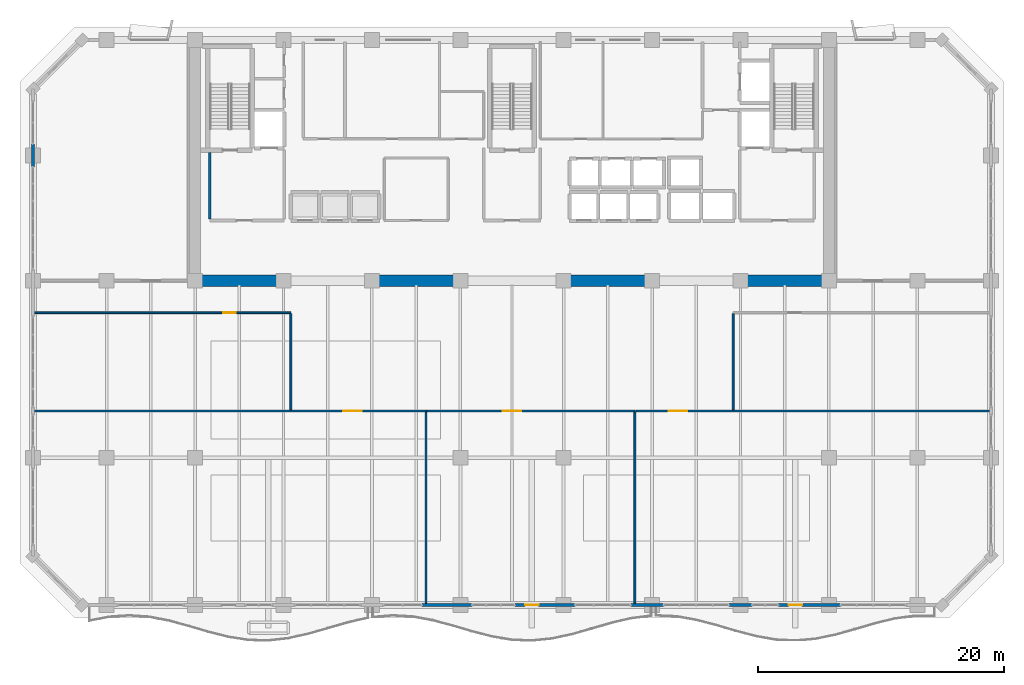
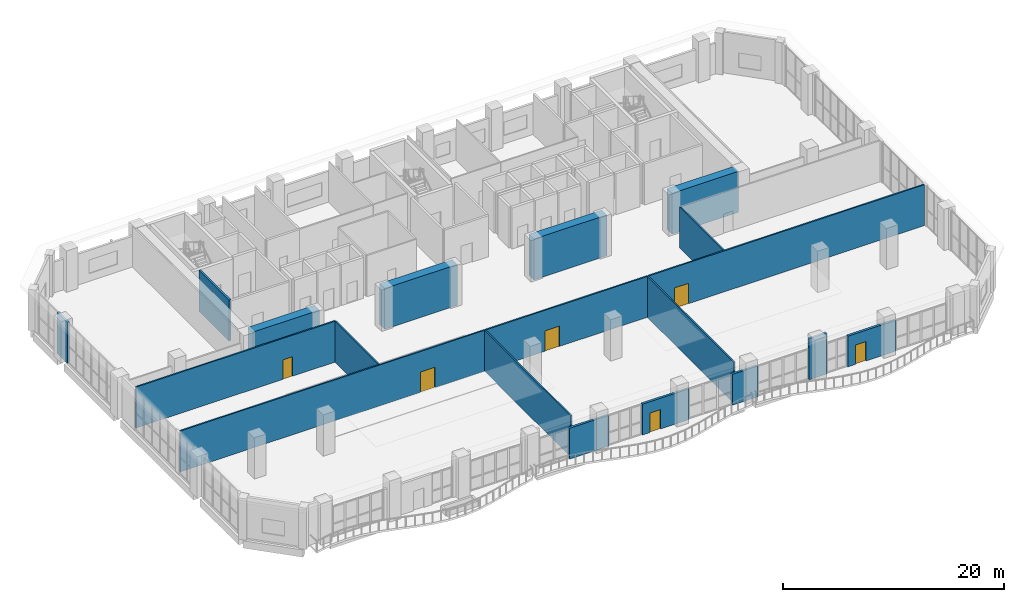
# One storey, part 29 of 37: 19 walls, 6 doors, 6 openings.
"""IFC4 building model written with IfcOpenShell, lengths in metres."""

from ifc_helpers import new_model, si_unit, direction, frame, frame_2d, origin, place, context, subcontext, project, spatial, rectangle, extrude, material, layer, layer_set, type_object, element, fill, save


model = new_model("IFC4")

# Units and contexts
model_context = context("Model", 3, precision=1e-05, world=origin(), true_north=direction((0.0, 1.0)))
body_context = subcontext(model_context, "Body", "Model", "MODEL_VIEW")
ifc_project = project(units=[si_unit("LENGTHUNIT", "METRE"), si_unit("AREAUNIT", "SQUARE_METRE"), si_unit("VOLUMEUNIT", "CUBIC_METRE"), si_unit("PLANEANGLEUNIT", "RADIAN"), si_unit("MASSUNIT", "GRAM", prefix="KILO")], contexts=[model_context])

# Site, building, storey
site_placement = place(None, origin())
site = spatial("IfcSite", under=ifc_project, at=site_placement, CompositionType="ELEMENT")
building_placement = place(site_placement, origin())
building = spatial("IfcBuilding", under=site, at=building_placement, Name="Kaelvorn Grand Hotel", CompositionType="ELEMENT")
storey_placement = place(building_placement, frame((0.0, 0.0, 224.35009765625)))
storey = spatial("IfcBuildingStorey", under=building, at=storey_placement, Name="L55", CompositionType="ELEMENT", Elevation=224.35009765625)

# Walls
ifc_material_1 = material(Name="Concrete C60/75", Category="concrete")
ifc_layer_1 = layer(ifc_material_1, 0.89990234375)
ifc_layer_set_1 = layer_set([ifc_layer_1], Name="Concrete C60/75")
wall_type_1 = type_object("IfcWallType", Name="WL-CORE-900-C60", PredefinedType="SHEAR", material=ifc_layer_set_1)
wall_1_placement = place(storey_placement, frame((16.655029296875, 29.39990234375, 0.0), z_axis=(0.0, 0.0, 1.0), x_axis=(1.0, 0.0, 0.0)))
element("IfcWall", 1, at=wall_1_placement, inside=storey, type_object=wall_type_1, Name="L55 Rear-Core Coupled Shear Pier S1", PredefinedType="SHEAR", context=body_context, shape_type="SweptSolid", body=[
    extrude(rectangle(XDim=6.945068359375, YDim=0.89990234375, at=frame_2d((3.47265625, 0.0))), origin(), (0.0, 0.0, 1.0), 4.52001953125),
])
for number, where, z_axis, x_axis, name in (
    (2, (30.39990234375, 29.39990234375, 0.0), (0.0, 0.0, 1.0), (1.0, 0.0, 0.0), "L55 Rear-Core Coupled Shear Pier S2"),
    (3, (46.0, 29.39990234375, 0.0), (0.0, 0.0, 1.0), (1.0, 0.0, 0.0), "L55 Rear-Core Coupled Shear Pier S3"),
):
    element("IfcWall", number, at=place(storey_placement, frame(where, z_axis=z_axis, x_axis=x_axis)), inside=storey, type_object=wall_type_1, Name=name, PredefinedType="SHEAR", context=body_context, shape_type="SweptSolid", body=[
        extrude(rectangle(XDim=7.60009765625, YDim=0.89990234375, at=frame_2d((3.800048828125, 0.0))), origin(), (0.0, 0.0, 1.0), 4.52001953125),
    ])
wall_2_placement = place(storey_placement, frame((60.39990234375, 29.39990234375, 0.0), z_axis=(0.0, 0.0, 1.0), x_axis=(1.0, 0.0, 0.0)))
element("IfcWall", 4, at=wall_2_placement, inside=storey, type_object=wall_type_1, Name="L55 Rear-Core Coupled Shear Pier S4", PredefinedType="SHEAR", context=body_context, shape_type="SweptSolid", body=[
    extrude(rectangle(XDim=6.945068359375, YDim=0.89990234375, at=frame_2d((3.47265625, 0.0))), origin(), (0.0, 0.0, 1.0), 4.52001953125),
])
ifc_material_2 = material(Name="Concrete C40/50", Category="concrete")
ifc_layer_2 = layer(ifc_material_2, 0.239990234375)
ifc_layer_set_2 = layer_set([ifc_layer_2], Name="Concrete C40/50")
wall_type_2 = type_object("IfcWallType", Name="WL-EXT-240-C40", PredefinedType="SOLIDWALL", material=ifc_layer_set_2)
wall_3_placement = place(storey_placement, frame((34.675048828125, 3.0, 0.0), z_axis=(0.0, 0.0, 1.0), x_axis=(1.0, 0.0, 0.0)))
element("IfcWall", 5, at=wall_3_placement, inside=storey, type_object=wall_type_2, Name="L55 Exterior Architectural Concrete Wall 01 Pier 5", PredefinedType="SOLIDWALL", context=body_context, shape_type="SweptSolid", body=[
    extrude(rectangle(XDim=4.050048828125, YDim=0.239990234375, at=frame_2d((2.02490234375, 0.0))), origin(), (0.0, 0.0, 1.0), 3.39990234375),
])

# Wall, opening, door
wall_4_placement = place(storey_placement, frame((42.263916015625, 3.0, 0.0), z_axis=(0.0, 0.0, 1.0), x_axis=(1.0, 0.0, 0.0)))
wall_4 = element("IfcWall", 6, at=wall_4_placement, inside=storey, type_object=wall_type_2, Name="L55 Exterior Architectural Concrete Wall 01 Pier 6", PredefinedType="SOLIDWALL", context=body_context, shape_type="SweptSolid", body=[
    extrude(rectangle(XDim=4.861083984375, YDim=0.239990234375, at=frame_2d((2.4306640625, 0.0))), origin(), (0.0, 0.0, 1.0), 3.39990234375),
])
opening_1_placement = place(wall_4_placement, frame((0.804931640625, 0.0, 0.0)))
opening_1 = element("IfcOpeningElement", 7, at=opening_1_placement, cuts=wall_4, Name="Opening DE2", PredefinedType="OPENING", context=body_context, shape_type="SweptSolid", body=[
    extrude(rectangle(XDim=1.10009765625, YDim=2.14990234375, at=frame_2d((0.550048828125, 1.074951171875))), frame((0.0, 0.1298828125, 0.0), z_axis=(0.0, -1.0, 0.0), x_axis=(1.0, 0.0, 0.0)), (0.0, 0.0, 1.0), 0.260009765625),
])
ifc_material_3 = material(Name="Anodised Aluminium", Category="aluminium")
door_type_1 = type_object("IfcDoorType", Name="DR-EXT-BALC-1100x2150", OperationType="NOTDEFINED", PredefinedType="DOOR", material=ifc_material_3)
door_1_placement = place(opening_1_placement, origin())
door_1 = element("IfcDoor", 8, at=door_1_placement, inside=storey, type_object=door_type_1, Name="L55 Scalloped Balcony Glazed Door DE2-2", OperationType="SINGLE_SWING_LEFT", OverallHeight=2.14990234375, OverallWidth=1.10009765625, PredefinedType="DOOR", context=body_context, shape_type="SweptSolid", body=[
    extrude(rectangle(XDim=1.10009765625, YDim=2.14990234375, at=frame_2d((0.550048828125, 1.074951171875))), frame((0.0, 0.02490234375, 0.0), z_axis=(0.0, -1.0, 0.0), x_axis=(1.0, 0.0, 0.0)), (0.0, 0.0, 1.0), 0.050048828125),
])
fill(opening_1, door_1)

# Walls
wall_5_placement = place(storey_placement, frame((51.675048828125, 3.0, 0.0), z_axis=(0.0, 0.0, 1.0), x_axis=(1.0, 0.0, 0.0)))
element("IfcWall", 9, at=wall_5_placement, inside=storey, type_object=wall_type_2, Name="L55 Exterior Architectural Concrete Wall 01 Pier 7", PredefinedType="SOLIDWALL", context=body_context, shape_type="SweptSolid", body=[
    extrude(rectangle(XDim=2.64990234375, YDim=0.239990234375, at=frame_2d((1.324951171875, 0.0))), origin(), (0.0, 0.0, 1.0), 3.39990234375),
])
wall_6_placement = place(storey_placement, frame((59.675048828125, 3.0, 0.0), z_axis=(0.0, 0.0, 1.0), x_axis=(1.0, 0.0, 0.0)))
element("IfcWall", 10, at=wall_6_placement, inside=storey, type_object=wall_type_2, Name="L55 Exterior Architectural Concrete Wall 01 Pier 8", PredefinedType="SOLIDWALL", context=body_context, shape_type="SweptSolid", body=[
    extrude(rectangle(XDim=1.849853515625, YDim=0.239990234375, at=frame_2d((0.9248046875, 0.0))), origin(), (0.0, 0.0, 1.0), 4.52001953125),
])

# Wall, opening, door
wall_7_placement = place(storey_placement, frame((63.711669921875, 3.0, 0.0), z_axis=(0.0, 0.0, 1.0), x_axis=(1.0, 0.0, 0.0)))
wall_7 = element("IfcWall", 11, at=wall_7_placement, inside=storey, type_object=wall_type_2, Name="L55 Exterior Architectural Concrete Wall 01 Pier 9", PredefinedType="SOLIDWALL", context=body_context, shape_type="SweptSolid", body=[
    extrude(rectangle(XDim=5.013427734375, YDim=0.239990234375, at=frame_2d((2.5068359375, 0.0))), origin(), (0.0, 0.0, 1.0), 3.39990234375),
])
opening_2_placement = place(wall_7_placement, frame((0.804931640625, 0.0, 0.0)))
opening_2 = element("IfcOpeningElement", 12, at=opening_2_placement, cuts=wall_7, Name="Opening DE2", PredefinedType="OPENING", context=body_context, shape_type="SweptSolid", body=[
    extrude(rectangle(XDim=1.10009765625, YDim=2.14990234375, at=frame_2d((0.550048828125, 1.074951171875))), frame((0.0, 0.1298828125, 0.0), z_axis=(0.0, -1.0, 0.0), x_axis=(1.0, 0.0, 0.0)), (0.0, 0.0, 1.0), 0.260009765625),
])
door_2_placement = place(opening_2_placement, origin())
door_2 = element("IfcDoor", 13, at=door_2_placement, inside=storey, type_object=door_type_1, Name="L55 Scalloped Balcony Glazed Door DE2-3", OperationType="SINGLE_SWING_RIGHT", OverallHeight=2.14990234375, OverallWidth=1.10009765625, PredefinedType="DOOR", context=body_context, shape_type="SweptSolid", body=[
    extrude(rectangle(XDim=1.10009765625, YDim=2.14990234375, at=frame_2d((0.550048828125, 1.074951171875))), frame((0.0, 0.02490234375, 0.0), z_axis=(0.0, -1.0, 0.0), x_axis=(1.0, 0.0, 0.0)), (0.0, 0.0, 1.0), 0.050048828125),
])
fill(opening_2, door_2)

# Wall
wall_8_placement = place(storey_placement, frame((3.0, 40.52490234375, 0.0), z_axis=(0.0, 0.0, 1.0), x_axis=(0.0, -1.0, 0.0)))
element("IfcWall", 14, at=wall_8_placement, inside=storey, type_object=wall_type_2, Name="L55 Exterior Architectural Concrete Wall 07 Pier 2", PredefinedType="SOLIDWALL", context=body_context, shape_type="SweptSolid", body=[
    extrude(rectangle(XDim=1.849853515625, YDim=0.239990234375, at=frame_2d((0.9248046875, 0.0))), origin(), (0.0, 0.0, 1.0), 4.52001953125),
])

# Wall, opening, door
ifc_material_4 = material(Name="Acoustic Gypsum & Stud Partition")
ifc_layer_3 = layer(ifc_material_4, 0.14990234375)
ifc_layer_set_3 = layer_set([ifc_layer_3], Name="Acoustic Gypsum & Stud Partition")
wall_type_3 = type_object("IfcWallType", Name="WL-PART-150-EI60", PredefinedType="PARTITIONING", material=ifc_layer_set_3)
wall_9_placement = place(storey_placement, frame((3.14990234375, 18.800048828125, 0.0), z_axis=(0.0, 0.0, 1.0), x_axis=(1.0, 0.0, 0.0)))
wall_9 = element("IfcWall", 15, at=wall_9_placement, inside=storey, type_object=wall_type_3, Name="L55 Executive Club Lounge N Partition", PredefinedType="PARTITIONING", context=body_context, shape_type="SweptSolid", body=[
    extrude(rectangle(XDim=31.85009765625, YDim=0.14990234375, at=frame_2d((15.925048828125, 0.0))), origin(), (0.0, 0.0, 1.0), 4.52001953125),
])
opening_3_placement = place(wall_9_placement, frame((25.10009765625, 0.0, 0.0)))
opening_3 = element("IfcOpeningElement", 16, at=opening_3_placement, cuts=wall_9, Name="Opening DI5", PredefinedType="OPENING", context=body_context, shape_type="SweptSolid", body=[
    extrude(rectangle(XDim=1.5, YDim=2.25, at=frame_2d((0.75, 1.125))), frame((0.0, 0.0849609375, 0.0), z_axis=(0.0, -1.0, 0.0), x_axis=(1.0, 0.0, 0.0)), (0.0, 0.0, 1.0), 0.169921875),
])
ifc_material_5 = material(Name="Timber Veneer Fire Leaf", Category="wood")
door_type_2 = type_object("IfcDoorType", Name="DR-INT-SALON-1500x2250", OperationType="DOUBLE_DOOR_SINGLE_SWING", PredefinedType="DOOR", material=ifc_material_5)
door_3_placement = place(opening_3_placement, origin())
door_3 = element("IfcDoor", 17, at=door_3_placement, inside=storey, type_object=door_type_2, Name="L55 Executive Club Lounge Door", OperationType="DOUBLE_DOOR_SINGLE_SWING", OverallHeight=2.25, OverallWidth=1.5, PredefinedType="DOOR", context=body_context, shape_type="SweptSolid", body=[
    extrude(rectangle(XDim=1.5, YDim=2.25, at=frame_2d((0.75, 1.125))), frame((0.0, 0.02490234375, 0.0), z_axis=(0.0, -1.0, 0.0), x_axis=(1.0, 0.0, 0.0)), (0.0, 0.0, 1.0), 0.050048828125),
])
fill(opening_3, door_3)

# Wall
wall_10_placement = place(storey_placement, frame((35.0, 3.14990234375, 0.0), z_axis=(0.0, 0.0, 1.0), x_axis=(0.0, 1.0, 0.0)))
element("IfcWall", 18, at=wall_10_placement, inside=storey, type_object=wall_type_3, Name="L55 Executive Club Lounge E Partition", PredefinedType="PARTITIONING", context=body_context, shape_type="SweptSolid", body=[
    extrude(rectangle(XDim=15.570068359375, YDim=0.14990234375, at=frame_2d((7.78515625, 0.0))), origin(), (0.0, 0.0, 1.0), 4.52001953125),
])

# Wall, opening, door
wall_11_placement = place(storey_placement, frame((35.080078125, 18.800048828125, 0.0), z_axis=(0.0, 0.0, 1.0), x_axis=(1.0, 0.0, 0.0)))
wall_11 = element("IfcWall", 19, at=wall_11_placement, inside=storey, type_object=wall_type_3, Name="L55 Club Breakfast & Canape Salon N Partition", PredefinedType="PARTITIONING", context=body_context, shape_type="SweptSolid", body=[
    extrude(rectangle(XDim=16.919921875, YDim=0.14990234375, at=frame_2d((8.4599609375, 0.0))), origin(), (0.0, 0.0, 1.0), 4.52001953125),
])
opening_4_placement = place(wall_11_placement, frame((6.169921875, 0.0, 0.0)))
opening_4 = element("IfcOpeningElement", 20, at=opening_4_placement, cuts=wall_11, Name="Opening DI5", PredefinedType="OPENING", context=body_context, shape_type="SweptSolid", body=[
    extrude(rectangle(XDim=1.5, YDim=2.25, at=frame_2d((0.75, 1.125))), frame((0.0, 0.0849609375, 0.0), z_axis=(0.0, -1.0, 0.0), x_axis=(1.0, 0.0, 0.0)), (0.0, 0.0, 1.0), 0.169921875),
])
door_4_placement = place(opening_4_placement, origin())
door_4 = element("IfcDoor", 21, at=door_4_placement, inside=storey, type_object=door_type_2, Name="L55 Club Breakfast & Canape Salon Door", OperationType="DOUBLE_DOOR_SINGLE_SWING", OverallHeight=2.25, OverallWidth=1.5, PredefinedType="DOOR", context=body_context, shape_type="SweptSolid", body=[
    extrude(rectangle(XDim=1.5, YDim=2.25, at=frame_2d((0.75, 1.125))), frame((0.0, 0.02490234375, 0.0), z_axis=(0.0, -1.0, 0.0), x_axis=(1.0, 0.0, 0.0)), (0.0, 0.0, 1.0), 0.050048828125),
])
fill(opening_4, door_4)

# Wall
wall_12_placement = place(storey_placement, frame((52.0, 3.14990234375, 0.0), z_axis=(0.0, 0.0, 1.0), x_axis=(0.0, 1.0, 0.0)))
element("IfcWall", 22, at=wall_12_placement, inside=storey, type_object=wall_type_3, Name="L55 Club Breakfast & Canape Salon E Partition", PredefinedType="PARTITIONING", context=body_context, shape_type="SweptSolid", body=[
    extrude(rectangle(XDim=15.570068359375, YDim=0.14990234375, at=frame_2d((7.78515625, 0.0))), origin(), (0.0, 0.0, 1.0), 4.52001953125),
])

# Wall, opening, door
wall_13_placement = place(storey_placement, frame((52.080078125, 18.800048828125, 0.0), z_axis=(0.0, 0.0, 1.0), x_axis=(1.0, 0.0, 0.0)))
wall_13 = element("IfcWall", 23, at=wall_13_placement, inside=storey, type_object=wall_type_3, Name="L55 Executive Boardroom N Partition", PredefinedType="PARTITIONING", context=body_context, shape_type="SweptSolid", body=[
    extrude(rectangle(XDim=28.77001953125, YDim=0.14990234375, at=frame_2d((14.385009765625, 0.0))), origin(), (0.0, 0.0, 1.0), 4.52001953125),
])
opening_5_placement = place(wall_13_placement, frame((2.669921875, 0.0, 0.0)))
opening_5 = element("IfcOpeningElement", 24, at=opening_5_placement, cuts=wall_13, Name="Opening DI5", PredefinedType="OPENING", context=body_context, shape_type="SweptSolid", body=[
    extrude(rectangle(XDim=1.5, YDim=2.25, at=frame_2d((0.75, 1.125))), frame((0.0, 0.0849609375, 0.0), z_axis=(0.0, -1.0, 0.0), x_axis=(1.0, 0.0, 0.0)), (0.0, 0.0, 1.0), 0.169921875),
])
door_5_placement = place(opening_5_placement, origin())
door_5 = element("IfcDoor", 25, at=door_5_placement, inside=storey, type_object=door_type_2, Name="L55 Executive Boardroom Door", OperationType="DOUBLE_DOOR_SINGLE_SWING", OverallHeight=2.25, OverallWidth=1.5, PredefinedType="DOOR", context=body_context, shape_type="SweptSolid", body=[
    extrude(rectangle(XDim=1.5, YDim=2.25, at=frame_2d((0.75, 1.125))), frame((0.0, 0.02490234375, 0.0), z_axis=(0.0, -1.0, 0.0), x_axis=(1.0, 0.0, 0.0)), (0.0, 0.0, 1.0), 0.050048828125),
])
fill(opening_5, door_5)

wall_14_placement = place(storey_placement, frame((3.14990234375, 26.800048828125, 0.0), z_axis=(0.0, 0.0, 1.0), x_axis=(1.0, 0.0, 0.0)))
wall_14 = element("IfcWall", 26, at=wall_14_placement, inside=storey, type_object=wall_type_3, Name="L55 West Sky Meeting Salon N Partition", PredefinedType="PARTITIONING", context=body_context, shape_type="SweptSolid", body=[
    extrude(rectangle(XDim=20.85009765625, YDim=0.14990234375, at=frame_2d((10.425048828125, 0.0))), origin(), (0.0, 0.0, 1.0), 4.52001953125),
])
opening_6_placement = place(wall_14_placement, frame((15.35009765625, 0.0, 0.0)))
opening_6 = element("IfcOpeningElement", 27, at=opening_6_placement, cuts=wall_14, Name="Opening DI3", PredefinedType="OPENING", context=body_context, shape_type="SweptSolid", body=[
    extrude(rectangle(XDim=1.0, YDim=2.14990234375, at=frame_2d((0.5, 1.074951171875))), frame((0.0, 0.0849609375, 0.0), z_axis=(0.0, -1.0, 0.0), x_axis=(1.0, 0.0, 0.0)), (0.0, 0.0, 1.0), 0.169921875),
])
door_type_3 = type_object("IfcDoorType", Name="DR-INT-GUEST-1000x2150", OperationType="NOTDEFINED", PredefinedType="DOOR", material=ifc_material_5)
door_6_placement = place(opening_6_placement, origin())
door_6 = element("IfcDoor", 28, at=door_6_placement, inside=storey, type_object=door_type_3, Name="L55 West Sky Meeting Salon Door", OperationType="SINGLE_SWING_LEFT", OverallHeight=2.14990234375, OverallWidth=1.0, PredefinedType="DOOR", context=body_context, shape_type="SweptSolid", body=[
    extrude(rectangle(XDim=1.0, YDim=2.14990234375, at=frame_2d((0.5, 1.074951171875))), frame((0.0, 0.02490234375, 0.0), z_axis=(0.0, -1.0, 0.0), x_axis=(1.0, 0.0, 0.0)), (0.0, 0.0, 1.0), 0.050048828125),
])
fill(opening_6, door_6)

# Walls
for number, where, z_axis, x_axis, name in (
    (29, (24.0, 18.8798828125, 0.0), (0.0, 0.0, 1.0), (0.0, 1.0, 0.0), "L55 West Sky Meeting Salon E Partition"),
    (30, (60.0, 18.8798828125, 0.0), (0.0, 0.0, 1.0), (0.0, 1.0, 0.0), "L55 East Sky Meeting Salon W Partition"),
):
    element("IfcWall", number, at=place(storey_placement, frame(where, z_axis=z_axis, x_axis=x_axis)), inside=storey, type_object=wall_type_3, Name=name, PredefinedType="PARTITIONING", context=body_context, shape_type="SweptSolid", body=[
        extrude(rectangle(XDim=7.840087890625, YDim=0.14990234375, at=frame_2d((3.919921875, 0.0))), origin(), (0.0, 0.0, 1.0), 4.52001953125),
    ])
ifc_layer_4 = layer(ifc_material_2, 0.219970703125)
ifc_layer_set_4 = layer_set([ifc_layer_4], Name="Concrete C40/50")
wall_type_4 = type_object("IfcWallType", Name="WL-PART-220-EI120", PredefinedType="PARTITIONING", material=ifc_layer_set_4)
wall_15_placement = place(storey_placement, frame((17.39990234375, 34.4150390625, 0.0), z_axis=(0.0, 0.0, 1.0), x_axis=(0.0, 1.0, 0.0)))
element("IfcWall", 31, at=wall_15_placement, inside=storey, type_object=wall_type_4, Name="L55 Firefighting Lift Lobby 1 W Partition", PredefinedType="PARTITIONING", context=body_context, shape_type="SweptSolid", body=[
    extrude(rectangle(XDim=5.429931640625, YDim=0.219970703125, at=frame_2d((2.71484375, 0.0))), origin(), (0.0, 0.0, 1.0), 4.52001953125),
])

save(model, "model.ifc")
